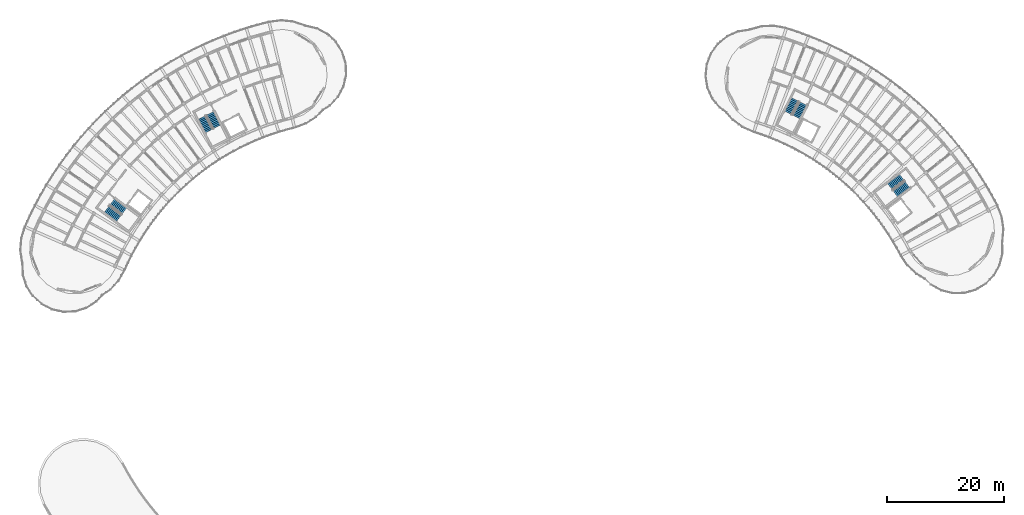
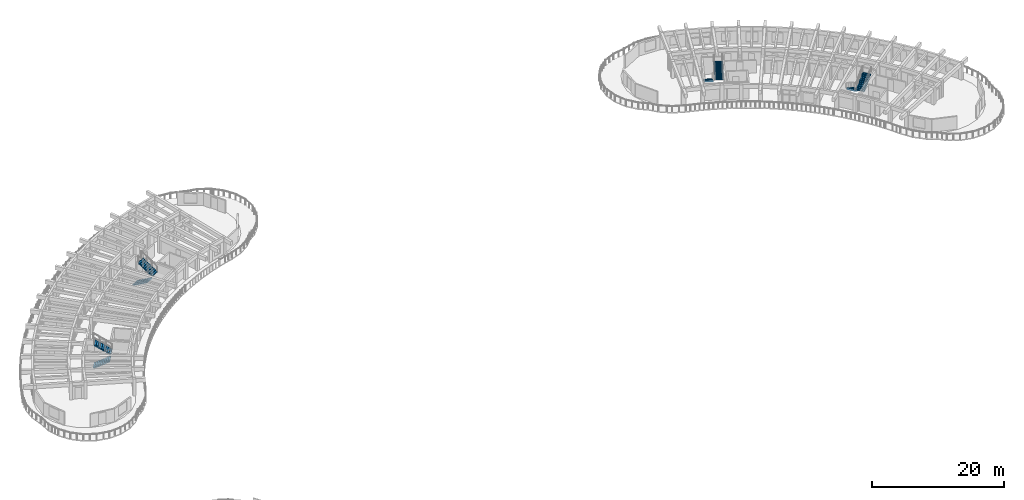
# One storey, part 26 of 36: 8 stair flights, 4 elements without a shape of their own.
"""IFC4 building model written with IfcOpenShell, lengths in metres."""

from ifc_helpers import new_model, si_unit, direction, frame, origin, place, context, subcontext, project, spatial, polyline, outline, extrude, material, layer, layer_set, type_object, element, aggregate, save


model = new_model("IFC4")

# Units and contexts
model_context = context("Model", 3, precision=1e-05, world=origin(), true_north=direction((0.0, 1.0)))
body_context = subcontext(model_context, "Body", "Model", "MODEL_VIEW")
ifc_project = project(units=[si_unit("LENGTHUNIT", "METRE"), si_unit("AREAUNIT", "SQUARE_METRE"), si_unit("VOLUMEUNIT", "CUBIC_METRE"), si_unit("PLANEANGLEUNIT", "RADIAN"), si_unit("MASSUNIT", "GRAM", prefix="KILO")], contexts=[model_context])

# Site, building, storey
site_placement = place(None, origin())
site = spatial("IfcSite", under=ifc_project, at=site_placement, CompositionType="ELEMENT")
building_placement = place(site_placement, origin())
building = spatial("IfcBuilding", under=site, at=building_placement, Name="Tanwirah Colonnade Gardens", CompositionType="ELEMENT")
storey_placement = place(building_placement, frame((0.0, 0.0, 39.080078125)))
storey = spatial("IfcBuildingStorey", under=building, at=storey_placement, Name="L11", CompositionType="ELEMENT", Elevation=39.080078125)

# Stair, stair flights
ifc_material = material(Name="Precast concrete C40/50", Category="concrete")
stair_type = type_object("IfcStairType", Name="ST-RES168", PredefinedType="HALF_TURN_STAIR", material=ifc_material)
stair_1_placement = place(storey_placement, origin())
stair_1 = element("IfcStair", 1, at=stair_1_placement, inside=storey, type_object=stair_type, Name="L11 Block A Core 1 Exit Stair", PredefinedType="HALF_TURN_STAIR")
ifc_layer = layer(ifc_material, 0.14990234375)
ifc_layer_set = layer_set([ifc_layer], Name="Precast concrete C40/50")
stair_flight_type = type_object("IfcStairFlightType", Name="FLT-RES150", PredefinedType="STRAIGHT", material=ifc_layer_set)
stair_flight_1_placement = place(storey_placement, frame((39.148681640625, 103.425048828125, 0.0), z_axis=(0.0, 0.0, 1.0), x_axis=(0.45399049974, -0.891006524188, 0.0)))
stair_flight_1 = element("IfcStairFlight", 2, at=stair_flight_1_placement, type_object=stair_flight_type, Name="ST-A1 flight 1", NumberOfRisers=10, NumberOfTreads=9, PredefinedType="STRAIGHT", RiserHeight=0.168, TreadLength=0.285, context=body_context, shape_type="SweptSolid", body=[
    extrude(outline(polyline([(-0.0048828125, 0.0), (0.0, 0.16796875), (0.284912109375, 0.16796875), (0.284912109375, 0.3359375), (0.570068359375, 0.3359375), (0.570068359375, 0.50390625), (0.85498046875, 0.50390625), (0.85498046875, 0.672119140625), (1.139892578125, 0.672119140625), (1.139892578125, 0.840087890625), (1.425048828125, 0.840087890625), (1.425048828125, 1.008056640625), (1.7099609375, 1.008056640625), (1.7099609375, 1.176025390625), (1.9951171875, 1.176025390625), (1.9951171875, 1.343994140625), (2.280029296875, 1.343994140625), (2.280029296875, 1.511962890625), (2.56494140625, 1.511962890625), (2.570068359375, 1.679931640625), (2.570068359375, 1.337890625), (0.30029296875, 0.0), (-0.0048828125, 0.0)])), frame((0.0, 0.68994140625, 0.0), z_axis=(0.0, -1.0, 0.0), x_axis=(1.0, 0.0, 0.0)), (0.0, 0.0, 1.0), 1.3798828125),
])
stair_flight_2_placement = place(storey_placement, frame((41.685302734375, 101.838623046875, 1.679931640625), z_axis=(0.0, 0.0, 1.0), x_axis=(-0.45399049974, 0.891006524188, 0.0)))
stair_flight_2 = element("IfcStairFlight", 3, at=stair_flight_2_placement, type_object=stair_flight_type, Name="ST-A1 flight 2", NumberOfRisers=10, NumberOfTreads=9, PredefinedType="STRAIGHT", RiserHeight=0.168, TreadLength=0.285, context=body_context, shape_type="SweptSolid", body=[
    extrude(outline(polyline([(-0.0048828125, 0.0), (0.0, 0.16796875), (0.284912109375, 0.16796875), (0.284912109375, 0.3359375), (0.570068359375, 0.3359375), (0.570068359375, 0.50390625), (0.85498046875, 0.50390625), (0.85498046875, 0.672119140625), (1.139892578125, 0.672119140625), (1.139892578125, 0.840087890625), (1.425048828125, 0.840087890625), (1.425048828125, 1.008056640625), (1.7099609375, 1.008056640625), (1.7099609375, 1.176025390625), (1.9951171875, 1.176025390625), (1.9951171875, 1.343994140625), (2.280029296875, 1.343994140625), (2.280029296875, 1.511962890625), (2.56494140625, 1.511962890625), (2.570068359375, 1.679931640625), (2.570068359375, 1.337890625), (0.30029296875, 0.0), (-0.0048828125, 0.0)])), frame((0.0, 0.68994140625, 0.0), z_axis=(0.0, -1.0, 0.0), x_axis=(1.0, 0.0, 0.0)), (0.0, 0.0, 1.0), 1.3798828125),
])
aggregate(stair_1, [stair_flight_1, stair_flight_2])

stair_2_placement = place(storey_placement, origin())
stair_2 = element("IfcStair", 4, at=stair_2_placement, inside=storey, type_object=stair_type, Name="L11 Block A Core 2 Exit Stair", PredefinedType="HALF_TURN_STAIR")
stair_flight_3_placement = place(storey_placement, frame((22.81640625, 87.7177734375, 0.0), z_axis=(0.0, 0.0, 1.0), x_axis=(0.798635510047, -0.601815023152, 0.0)))
stair_flight_3 = element("IfcStairFlight", 5, at=stair_flight_3_placement, type_object=stair_flight_type, Name="ST-A2 flight 1", NumberOfRisers=10, NumberOfTreads=9, PredefinedType="STRAIGHT", RiserHeight=0.168, TreadLength=0.285, context=body_context, shape_type="SweptSolid", body=[
    extrude(outline(polyline([(-0.0048828125, 0.0), (0.0, 0.16796875), (0.284912109375, 0.16796875), (0.284912109375, 0.3359375), (0.570068359375, 0.3359375), (0.570068359375, 0.50390625), (0.85498046875, 0.50390625), (0.85498046875, 0.672119140625), (1.139892578125, 0.672119140625), (1.139892578125, 0.840087890625), (1.425048828125, 0.840087890625), (1.425048828125, 1.008056640625), (1.7099609375, 1.008056640625), (1.7099609375, 1.176025390625), (1.9951171875, 1.176025390625), (1.9951171875, 1.343994140625), (2.280029296875, 1.343994140625), (2.280029296875, 1.511962890625), (2.56494140625, 1.511962890625), (2.570068359375, 1.679931640625), (2.570068359375, 1.337890625), (0.30029296875, 0.0), (-0.0048828125, 0.0)])), frame((0.0, 0.68994140625, 0.0), z_axis=(0.0, -1.0, 0.0), x_axis=(1.0, 0.0, 0.0)), (0.0, 0.0, 1.0), 1.3798828125),
])
stair_flight_4_placement = place(storey_placement, frame((25.791748046875, 87.404052734375, 1.679931640625), z_axis=(0.0, 0.0, 1.0), x_axis=(-0.798635510047, 0.601815023152, 0.0)))
stair_flight_4 = element("IfcStairFlight", 6, at=stair_flight_4_placement, type_object=stair_flight_type, Name="ST-A2 flight 2", NumberOfRisers=10, NumberOfTreads=9, PredefinedType="STRAIGHT", RiserHeight=0.168, TreadLength=0.285, context=body_context, shape_type="SweptSolid", body=[
    extrude(outline(polyline([(-0.0048828125, 0.0), (0.0, 0.16796875), (0.284912109375, 0.16796875), (0.284912109375, 0.3359375), (0.570068359375, 0.3359375), (0.570068359375, 0.50390625), (0.85498046875, 0.50390625), (0.85498046875, 0.672119140625), (1.139892578125, 0.672119140625), (1.139892578125, 0.840087890625), (1.425048828125, 0.840087890625), (1.425048828125, 1.008056640625), (1.7099609375, 1.008056640625), (1.7099609375, 1.176025390625), (1.9951171875, 1.176025390625), (1.9951171875, 1.343994140625), (2.280029296875, 1.343994140625), (2.280029296875, 1.511962890625), (2.56494140625, 1.511962890625), (2.570068359375, 1.679931640625), (2.570068359375, 1.337890625), (0.30029296875, 0.0), (-0.0048828125, 0.0)])), frame((0.0, 0.68994140625, 0.0), z_axis=(0.0, -1.0, 0.0), x_axis=(1.0, 0.0, 0.0)), (0.0, 0.0, 1.0), 1.3798828125),
])
aggregate(stair_2, [stair_flight_3, stair_flight_4])

stair_3_placement = place(storey_placement, origin())
stair_3 = element("IfcStair", 7, at=stair_3_placement, inside=storey, type_object=stair_type, Name="L11 Block B Core 1 Exit Stair", PredefinedType="HALF_TURN_STAIR")
stair_flight_5_placement = place(storey_placement, frame((159.079345703125, 93.16455078125, 0.0), z_axis=(0.0, 0.0, 1.0), x_axis=(-0.798635510047, -0.601815023152, 0.0)))
stair_flight_5 = element("IfcStairFlight", 8, at=stair_flight_5_placement, type_object=stair_flight_type, Name="ST-B1 flight 1", NumberOfRisers=10, NumberOfTreads=9, PredefinedType="STRAIGHT", RiserHeight=0.168, TreadLength=0.285, context=body_context, shape_type="SweptSolid", body=[
    extrude(outline(polyline([(-0.0048828125, 0.0), (0.0, 0.16796875), (0.284912109375, 0.16796875), (0.284912109375, 0.3359375), (0.570068359375, 0.3359375), (0.570068359375, 0.50390625), (0.85498046875, 0.50390625), (0.85498046875, 0.672119140625), (1.139892578125, 0.672119140625), (1.139892578125, 0.840087890625), (1.425048828125, 0.840087890625), (1.425048828125, 1.008056640625), (1.7099609375, 1.008056640625), (1.7099609375, 1.176025390625), (1.9951171875, 1.176025390625), (1.9951171875, 1.343994140625), (2.280029296875, 1.343994140625), (2.280029296875, 1.511962890625), (2.56494140625, 1.511962890625), (2.570068359375, 1.679931640625), (2.570068359375, 1.337890625), (0.30029296875, 0.0), (-0.0048828125, 0.0)])), frame((0.0, 0.68994140625, 0.0), z_axis=(0.0, -1.0, 0.0), x_axis=(1.0, 0.0, 0.0)), (0.0, 0.0, 1.0), 1.3798828125),
])
stair_flight_6_placement = place(storey_placement, frame((157.95751953125, 90.39111328125, 1.679931640625), z_axis=(0.0, 0.0, 1.0), x_axis=(0.798635510047, 0.601815023152, 0.0)))
stair_flight_6 = element("IfcStairFlight", 9, at=stair_flight_6_placement, type_object=stair_flight_type, Name="ST-B1 flight 2", NumberOfRisers=10, NumberOfTreads=9, PredefinedType="STRAIGHT", RiserHeight=0.168, TreadLength=0.285, context=body_context, shape_type="SweptSolid", body=[
    extrude(outline(polyline([(-0.0048828125, 0.0), (0.0, 0.16796875), (0.284912109375, 0.16796875), (0.284912109375, 0.3359375), (0.570068359375, 0.3359375), (0.570068359375, 0.50390625), (0.85498046875, 0.50390625), (0.85498046875, 0.672119140625), (1.139892578125, 0.672119140625), (1.139892578125, 0.840087890625), (1.425048828125, 0.840087890625), (1.425048828125, 1.008056640625), (1.7099609375, 1.008056640625), (1.7099609375, 1.176025390625), (1.9951171875, 1.176025390625), (1.9951171875, 1.343994140625), (2.280029296875, 1.343994140625), (2.280029296875, 1.511962890625), (2.56494140625, 1.511962890625), (2.570068359375, 1.679931640625), (2.570068359375, 1.337890625), (0.30029296875, 0.0), (-0.0048828125, 0.0)])), frame((0.0, 0.68994140625, 0.0), z_axis=(0.0, -1.0, 0.0), x_axis=(1.0, 0.0, 0.0)), (0.0, 0.0, 1.0), 1.3798828125),
])
aggregate(stair_3, [stair_flight_5, stair_flight_6])

stair_4_placement = place(storey_placement, origin())
stair_4 = element("IfcStair", 10, at=stair_4_placement, inside=storey, type_object=stair_type, Name="L11 Block B Core 2 Exit Stair", PredefinedType="HALF_TURN_STAIR")
stair_flight_7_placement = place(storey_placement, frame((140.774658203125, 106.521240234375, 0.0), z_axis=(0.0, 0.0, 1.0), x_axis=(-0.45399049974, -0.891006524188, 0.0)))
stair_flight_7 = element("IfcStairFlight", 11, at=stair_flight_7_placement, type_object=stair_flight_type, Name="ST-B2 flight 1", NumberOfRisers=10, NumberOfTreads=9, PredefinedType="STRAIGHT", RiserHeight=0.168, TreadLength=0.285, context=body_context, shape_type="SweptSolid", body=[
    extrude(outline(polyline([(-0.0048828125, 0.0), (0.0, 0.16796875), (0.284912109375, 0.16796875), (0.284912109375, 0.3359375), (0.570068359375, 0.3359375), (0.570068359375, 0.50390625), (0.85498046875, 0.50390625), (0.85498046875, 0.672119140625), (1.139892578125, 0.672119140625), (1.139892578125, 0.840087890625), (1.425048828125, 0.840087890625), (1.425048828125, 1.008056640625), (1.7099609375, 1.008056640625), (1.7099609375, 1.176025390625), (1.9951171875, 1.176025390625), (1.9951171875, 1.343994140625), (2.280029296875, 1.343994140625), (2.280029296875, 1.511962890625), (2.56494140625, 1.511962890625), (2.570068359375, 1.679931640625), (2.570068359375, 1.337890625), (0.30029296875, 0.0), (-0.0048828125, 0.0)])), frame((0.0, 0.68994140625, 0.0), z_axis=(0.0, -1.0, 0.0), x_axis=(1.0, 0.0, 0.0)), (0.0, 0.0, 1.0), 1.3798828125),
])
stair_flight_8_placement = place(storey_placement, frame((140.982421875, 103.53662109375, 1.679931640625), z_axis=(0.0, 0.0, 1.0), x_axis=(0.45399049974, 0.891006524188, 0.0)))
stair_flight_8 = element("IfcStairFlight", 12, at=stair_flight_8_placement, type_object=stair_flight_type, Name="ST-B2 flight 2", NumberOfRisers=10, NumberOfTreads=9, PredefinedType="STRAIGHT", RiserHeight=0.168, TreadLength=0.285, context=body_context, shape_type="SweptSolid", body=[
    extrude(outline(polyline([(-0.0048828125, 0.0), (0.0, 0.16796875), (0.284912109375, 0.16796875), (0.284912109375, 0.3359375), (0.570068359375, 0.3359375), (0.570068359375, 0.50390625), (0.85498046875, 0.50390625), (0.85498046875, 0.672119140625), (1.139892578125, 0.672119140625), (1.139892578125, 0.840087890625), (1.425048828125, 0.840087890625), (1.425048828125, 1.008056640625), (1.7099609375, 1.008056640625), (1.7099609375, 1.176025390625), (1.9951171875, 1.176025390625), (1.9951171875, 1.343994140625), (2.280029296875, 1.343994140625), (2.280029296875, 1.511962890625), (2.56494140625, 1.511962890625), (2.570068359375, 1.679931640625), (2.570068359375, 1.337890625), (0.30029296875, 0.0), (-0.0048828125, 0.0)])), frame((0.0, 0.68994140625, 0.0), z_axis=(0.0, -1.0, 0.0), x_axis=(1.0, 0.0, 0.0)), (0.0, 0.0, 1.0), 1.3798828125),
])
aggregate(stair_4, [stair_flight_7, stair_flight_8])

save(model, "model.ifc")
